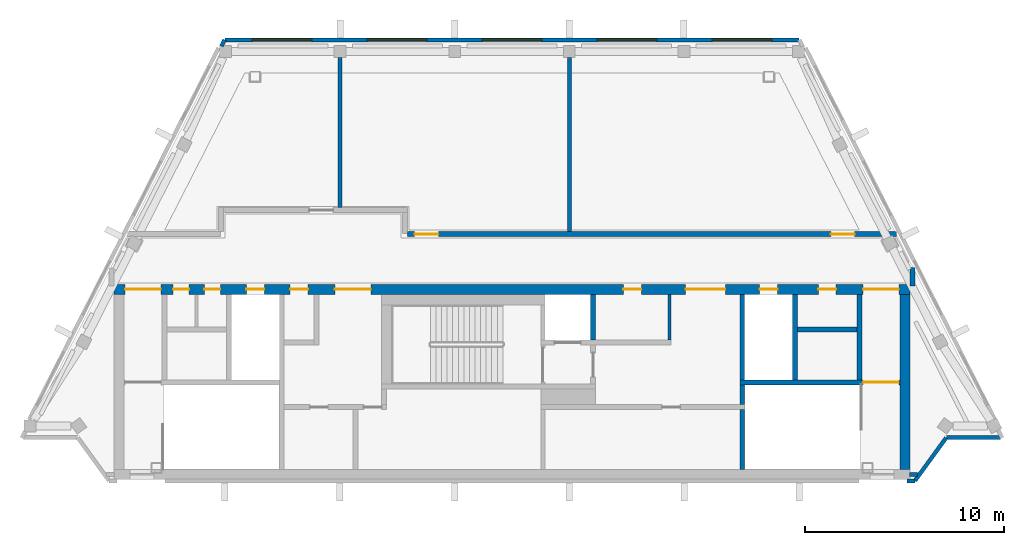
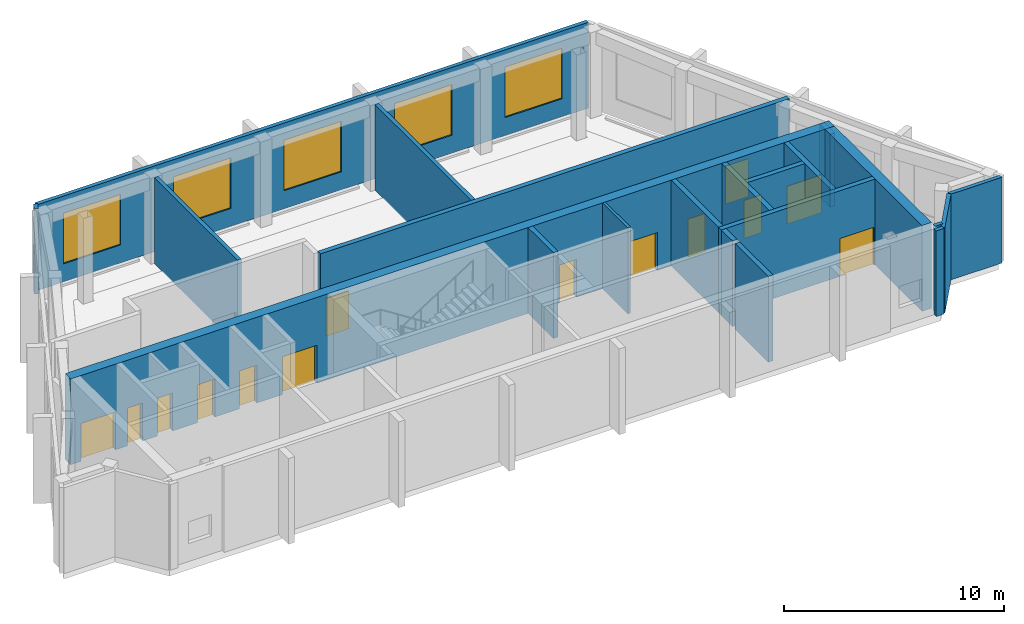
# One storey, part 3 of 5: 21 walls, 14 doors, 5 windows, 19 openings.
"""IFC4 building model written with IfcOpenShell, lengths in metres."""

from ifc_helpers import new_model, si_unit, direction, frame, frame_2d, origin, place, context, subcontext, project, spatial, rectangle, extrude, material, layer, layer_set, type_object, element, fill, save


model = new_model("IFC4")

# Units and contexts
model_context = context("Model", 3, precision=1e-05, world=origin(), true_north=direction((0.0, 1.0)))
body_context = subcontext(model_context, "Body", "Model", "MODEL_VIEW")
ifc_project = project(units=[si_unit("LENGTHUNIT", "METRE"), si_unit("AREAUNIT", "SQUARE_METRE"), si_unit("VOLUMEUNIT", "CUBIC_METRE"), si_unit("PLANEANGLEUNIT", "RADIAN"), si_unit("MASSUNIT", "GRAM", prefix="KILO")], contexts=[model_context])

# Site, building, storey
site_placement = place(None, origin())
site = spatial("IfcSite", under=ifc_project, at=site_placement, CompositionType="ELEMENT")
building_placement = place(site_placement, origin())
building = spatial("IfcBuilding", under=site, at=building_placement, Name="Quipu Civic Tower", CompositionType="ELEMENT")
storey_placement = place(building_placement, frame((0.0, 0.0, 363.0)))
storey = spatial("IfcBuildingStorey", under=building, at=storey_placement, Name="L84", CompositionType="ELEMENT", Elevation=363.0)

# Walls
ifc_material_1 = material(Name="Fired clay blockwork", Category="masonry")
ifc_layer_1 = layer(ifc_material_1, 0.199951171875)
ifc_layer_set_1 = layer_set([ifc_layer_1], Name="Fired clay blockwork")
wall_type_1 = type_object("IfcWallType", Name="Blockwork wall 200", PredefinedType="SOLIDWALL", material=ifc_layer_set_1)
wall_1_placement = place(storey_placement, frame((2.89892578125, 10.195068359375, 0.0), z_axis=(0.0, 0.0, 1.0), x_axis=(0.0, -1.0, 0.0)))
element("IfcWall", 1, at=wall_1_placement, inside=storey, type_object=wall_type_1, Name="Partition P01", PredefinedType="SOLIDWALL", context=body_context, shape_type="SweptSolid", body=[
    extrude(rectangle(XDim=8.7451171875, YDim=0.199951171875, at=frame_2d((4.37255859375, 0.0))), origin(), (0.0, 0.0, 1.0), 4.75),
])
wall_2_placement = place(storey_placement, frame((-8.656982421875, 2.64990234375, 0.0), z_axis=(0.0, 0.0, 1.0), x_axis=(0.0, 1.0, 0.0)))
element("IfcWall", 2, at=wall_2_placement, inside=storey, type_object=wall_type_1, Name="Partition P02", PredefinedType="SOLIDWALL", context=body_context, shape_type="SweptSolid", body=[
    extrude(rectangle(XDim=7.545166015625, YDim=0.199951171875, at=frame_2d((3.7724609375, 0.0))), origin(), (0.0, 0.0, 1.0), 4.75),
])
ifc_material_2 = material(Name="Concrete C70/85", Category="concrete")
ifc_layer_2 = layer(ifc_material_2, 0.25)
ifc_layer_set_2 = layer_set([ifc_layer_2], Name="Concrete C70/85")
wall_type_2 = type_object("IfcWallType", Name="Core wall 250", PredefinedType="SHEAR", material=ifc_layer_set_2)
wall_3_placement = place(storey_placement, frame((11.574951171875, -10.5, 0.0), z_axis=(0.0, 0.0, 1.0), x_axis=(0.0, 1.0, 0.0)))
element("IfcWall", 3, at=wall_3_placement, inside=storey, type_object=wall_type_2, Name="Core wall", PredefinedType="SHEAR", context=body_context, shape_type="SweptSolid", body=[
    extrude(rectangle(XDim=3.0, YDim=0.25, at=frame_2d((1.5, 0.0))), origin(), (0.0, 0.0, 1.0), 4.75),
])
wall_4_placement = place(storey_placement, frame((11.574951171875, -7.25, 0.0), z_axis=(0.0, 0.0, 1.0), x_axis=(0.0, 1.0, 0.0)))
element("IfcWall", 4, at=wall_4_placement, inside=storey, type_object=wall_type_2, Name="Core wall", PredefinedType="SHEAR", context=body_context, shape_type="SweptSolid", body=[
    extrude(rectangle(XDim=1.0, YDim=0.25, at=frame_2d((0.5, 0.0))), origin(), (0.0, 0.0, 1.0), 4.75),
])

# Wall, opening, door
wall_5_placement = place(storey_placement, frame((19.5, -6.125, 0.0), z_axis=(0.0, 0.0, 1.0), x_axis=(-1.0, 0.0, 0.0)))
wall_5 = element("IfcWall", 5, at=wall_5_placement, inside=storey, type_object=wall_type_2, Name="Core wall", PredefinedType="SHEAR", context=body_context, shape_type="SweptSolid", body=[
    extrude(rectangle(XDim=8.050048828125, YDim=0.25, at=frame_2d((4.02490234375, 0.0))), origin(), (0.0, 0.0, 1.0), 4.75),
])
opening_1_placement = place(wall_5_placement, frame((0.050048828125, 0.0, 0.0)))
opening_1 = element("IfcOpeningElement", 6, at=opening_1_placement, cuts=wall_5, Name="Opening CD-05", PredefinedType="OPENING", context=body_context, shape_type="SweptSolid", body=[
    extrude(rectangle(XDim=1.800048828125, YDim=2.10009765625, at=frame_2d((0.89990234375, 1.050048828125))), frame((0.0, 0.135009765625, 0.0), z_axis=(0.0, -1.0, 0.0), x_axis=(1.0, 0.0, 0.0)), (0.0, 0.0, 1.0), 0.27001953125),
])
ifc_material_3 = material(Name="Fire rated steel door", Category="steel")
door_type_1 = type_object("IfcDoorType", Name="Fire door FD90 double 1800 x 2100", OperationType="NOTDEFINED", PredefinedType="DOOR", material=ifc_material_3)
door_1_placement = place(opening_1_placement, origin())
door_1 = element("IfcDoor", 7, at=door_1_placement, inside=storey, type_object=door_type_1, Name="Door", OperationType="DOUBLE_DOOR_SINGLE_SWING", OverallHeight=2.10009765625, OverallWidth=1.800048828125, PredefinedType="DOOR", context=body_context, shape_type="SweptSolid", body=[
    extrude(rectangle(XDim=1.800048828125, YDim=2.10009765625, at=frame_2d((0.89990234375, 1.050048828125))), frame((0.0, 0.02490234375, 0.0), z_axis=(0.0, -1.0, 0.0), x_axis=(1.0, 0.0, 0.0)), (0.0, 0.0, 1.0), 0.050048828125),
])
fill(opening_1, door_1)

# Walls
for number, where, z_axis, x_axis, name in (
    (8, (11.574951171875, -6.0, 0.0), (0.0, 0.0, 1.0), (0.0, 1.0, 0.0), "Core wall"),
    (9, (14.22509765625, -6.0, 0.0), (0.0, 0.0, 1.0), (0.0, 1.0, 0.0), "Core wall"),
    (10, (17.47509765625, -6.0, 0.0), (0.0, 0.0, 1.0), (0.0, 1.0, 0.0), "Core wall"),
):
    element("IfcWall", number, at=place(storey_placement, frame(where, z_axis=z_axis, x_axis=x_axis)), inside=storey, type_object=wall_type_2, Name=name, PredefinedType="SHEAR", context=body_context, shape_type="SweptSolid", body=[
        extrude(rectangle(XDim=4.300048828125, YDim=0.25, at=frame_2d((2.14990234375, 0.0))), origin(), (0.0, 0.0, 1.0), 4.75),
    ])
wall_6_placement = place(storey_placement, frame((4.074951171875, -4.0, 0.0), z_axis=(0.0, 0.0, 1.0), x_axis=(0.0, 1.0, 0.0)))
element("IfcWall", 11, at=wall_6_placement, inside=storey, type_object=wall_type_2, Name="Core wall", PredefinedType="SHEAR", context=body_context, shape_type="SweptSolid", body=[
    extrude(rectangle(XDim=2.300048828125, YDim=0.25, at=frame_2d((1.14990234375, 0.0))), origin(), (0.0, 0.0, 1.0), 4.75),
])
wall_7_placement = place(storey_placement, frame((14.35009765625, -3.47509765625, 0.0), z_axis=(0.0, 0.0, 1.0), x_axis=(1.0, 0.0, 0.0)))
element("IfcWall", 12, at=wall_7_placement, inside=storey, type_object=wall_type_2, Name="Core wall", PredefinedType="SHEAR", context=body_context, shape_type="SweptSolid", body=[
    extrude(rectangle(XDim=3.0, YDim=0.25, at=frame_2d((1.5, 0.0))), origin(), (0.0, 0.0, 1.0), 4.75),
])
ifc_material_4 = material(Name="Concrete C70/85", Category="concrete")
ifc_layer_3 = layer(ifc_material_4, 0.5)
ifc_layer_set_3 = layer_set([ifc_layer_3], Name="Concrete C70/85")
wall_type_3 = type_object("IfcWallType", Name="Core wall 500", PredefinedType="SHEAR", material=ifc_layer_set_3)
wall_8_placement = place(storey_placement, frame((19.75, -10.5, 0.0), z_axis=(0.0, 0.0, 1.0), x_axis=(0.0, 1.0, 0.0)))
element("IfcWall", 13, at=wall_8_placement, inside=storey, type_object=wall_type_3, Name="Core wall", PredefinedType="SHEAR", context=body_context, shape_type="SweptSolid", body=[
    extrude(rectangle(XDim=8.800048828125, YDim=0.5, at=frame_2d((4.39990234375, 0.0))), origin(), (0.0, 0.0, 1.0), 4.75),
])

# Wall, openings, doors
wall_9_placement = place(storey_placement, frame((20.0, -1.449951171875, 0.0), z_axis=(0.0, 0.0, 1.0), x_axis=(-1.0, 0.0, 0.0)))
wall_9 = element("IfcWall", 14, at=wall_9_placement, inside=storey, type_object=wall_type_3, Name="Core wall", PredefinedType="SHEAR", context=body_context, shape_type="SweptSolid", body=[
    extrude(rectangle(XDim=40.0, YDim=0.5, at=frame_2d((20.0, 0.0))), origin(), (0.0, 0.0, 1.0), 4.75),
])
opening_2_placement = place(wall_9_placement, frame((37.64990234375, 0.0, 0.0)))
opening_2 = element("IfcOpeningElement", 15, at=opening_2_placement, cuts=wall_9, Name="Opening CD-08", PredefinedType="OPENING", context=body_context, shape_type="SweptSolid", body=[
    extrude(rectangle(XDim=1.800048828125, YDim=2.10009765625, at=frame_2d((0.89990234375, 1.050048828125))), frame((0.0, 0.260009765625, 0.0), z_axis=(0.0, -1.0, 0.0), x_axis=(1.0, 0.0, 0.0)), (0.0, 0.0, 1.0), 0.52001953125),
])
opening_3_placement = place(wall_9_placement, frame((36.237548828125, 0.0, 0.0)))
opening_3 = element("IfcOpeningElement", 16, at=opening_3_placement, cuts=wall_9, Name="Opening CD-09", PredefinedType="OPENING", context=body_context, shape_type="SweptSolid", body=[
    extrude(rectangle(XDim=0.800048828125, YDim=2.10009765625, at=frame_2d((0.39990234375, 1.050048828125))), frame((0.0, 0.260009765625, 0.0), z_axis=(0.0, -1.0, 0.0), x_axis=(1.0, 0.0, 0.0)), (0.0, 0.0, 1.0), 0.52001953125),
])
opening_4_placement = place(wall_9_placement, frame((34.66259765625, 0.0, 0.0)))
opening_4 = element("IfcOpeningElement", 17, at=opening_4_placement, cuts=wall_9, Name="Opening CD-10", PredefinedType="OPENING", context=body_context, shape_type="SweptSolid", body=[
    extrude(rectangle(XDim=0.800048828125, YDim=2.10009765625, at=frame_2d((0.39990234375, 1.050048828125))), frame((0.0, 0.260009765625, 0.0), z_axis=(0.0, -1.0, 0.0), x_axis=(1.0, 0.0, 0.0)), (0.0, 0.0, 1.0), 0.52001953125),
])
opening_5_placement = place(wall_9_placement, frame((32.449951171875, 0.0, 0.0)))
opening_5 = element("IfcOpeningElement", 18, at=opening_5_placement, cuts=wall_9, Name="Opening CD-11", PredefinedType="OPENING", context=body_context, shape_type="SweptSolid", body=[
    extrude(rectangle(XDim=0.89990234375, YDim=2.10009765625, at=frame_2d((0.449951171875, 1.050048828125))), frame((0.0, 0.260009765625, 0.0), z_axis=(0.0, -1.0, 0.0), x_axis=(1.0, 0.0, 0.0)), (0.0, 0.0, 1.0), 0.52001953125),
])
opening_6_placement = place(wall_9_placement, frame((30.25, 0.0, 0.0)))
opening_6 = element("IfcOpeningElement", 19, at=opening_6_placement, cuts=wall_9, Name="Opening CD-12", PredefinedType="OPENING", context=body_context, shape_type="SweptSolid", body=[
    extrude(rectangle(XDim=0.89990234375, YDim=2.10009765625, at=frame_2d((0.449951171875, 1.050048828125))), frame((0.0, 0.260009765625, 0.0), z_axis=(0.0, -1.0, 0.0), x_axis=(1.0, 0.0, 0.0)), (0.0, 0.0, 1.0), 0.52001953125),
])
opening_7_placement = place(wall_9_placement, frame((27.10009765625, 0.0, 0.0)))
opening_7 = element("IfcOpeningElement", 20, at=opening_7_placement, cuts=wall_9, Name="Opening CD-13", PredefinedType="OPENING", context=body_context, shape_type="SweptSolid", body=[
    extrude(rectangle(XDim=1.800048828125, YDim=2.10009765625, at=frame_2d((0.89990234375, 1.050048828125))), frame((0.0, 0.260009765625, 0.0), z_axis=(0.0, -1.0, 0.0), x_axis=(1.0, 0.0, 0.0)), (0.0, 0.0, 1.0), 0.52001953125),
])
opening_8_placement = place(wall_9_placement, frame((13.5, 0.0, 0.0)))
opening_8 = element("IfcOpeningElement", 21, at=opening_8_placement, cuts=wall_9, Name="Opening CD-14", PredefinedType="OPENING", context=body_context, shape_type="SweptSolid", body=[
    extrude(rectangle(XDim=0.89990234375, YDim=2.10009765625, at=frame_2d((0.449951171875, 1.050048828125))), frame((0.0, 0.260009765625, 0.0), z_axis=(0.0, -1.0, 0.0), x_axis=(1.0, 0.0, 0.0)), (0.0, 0.0, 1.0), 0.52001953125),
])
opening_9_placement = place(wall_9_placement, frame((9.27490234375, 0.0, 0.0)))
opening_9 = element("IfcOpeningElement", 22, at=opening_9_placement, cuts=wall_9, Name="Opening CD-15", PredefinedType="OPENING", context=body_context, shape_type="SweptSolid", body=[
    extrude(rectangle(XDim=2.0, YDim=2.10009765625, at=frame_2d((1.0, 1.050048828125))), frame((0.0, 0.260009765625, 0.0), z_axis=(0.0, -1.0, 0.0), x_axis=(1.0, 0.0, 0.0)), (0.0, 0.0, 1.0), 0.52001953125),
])
opening_10_placement = place(wall_9_placement, frame((6.64990234375, 0.0, 0.0)))
opening_10 = element("IfcOpeningElement", 23, at=opening_10_placement, cuts=wall_9, Name="Opening CD-16", PredefinedType="OPENING", context=body_context, shape_type="SweptSolid", body=[
    extrude(rectangle(XDim=0.89990234375, YDim=2.10009765625, at=frame_2d((0.449951171875, 1.050048828125))), frame((0.0, 0.260009765625, 0.0), z_axis=(0.0, -1.0, 0.0), x_axis=(1.0, 0.0, 0.0)), (0.0, 0.0, 1.0), 0.52001953125),
])
opening_11_placement = place(wall_9_placement, frame((3.699951171875, 0.0, 0.0)))
opening_11 = element("IfcOpeningElement", 24, at=opening_11_placement, cuts=wall_9, Name="Opening CD-17", PredefinedType="OPENING", context=body_context, shape_type="SweptSolid", body=[
    extrude(rectangle(XDim=0.89990234375, YDim=2.10009765625, at=frame_2d((0.449951171875, 1.050048828125))), frame((0.0, 0.260009765625, 0.0), z_axis=(0.0, -1.0, 0.0), x_axis=(1.0, 0.0, 0.0)), (0.0, 0.0, 1.0), 0.52001953125),
])
opening_12_placement = place(wall_9_placement, frame((0.550048828125, 0.0, 0.0)))
opening_12 = element("IfcOpeningElement", 25, at=opening_12_placement, cuts=wall_9, Name="Opening CD-18", PredefinedType="OPENING", context=body_context, shape_type="SweptSolid", body=[
    extrude(rectangle(XDim=1.800048828125, YDim=2.10009765625, at=frame_2d((0.89990234375, 1.050048828125))), frame((0.0, 0.260009765625, 0.0), z_axis=(0.0, -1.0, 0.0), x_axis=(1.0, 0.0, 0.0)), (0.0, 0.0, 1.0), 0.52001953125),
])
ifc_material_5 = material(Name="Fire rated steel door", Category="steel")
door_type_2 = type_object("IfcDoorType", Name="Fire door FD60 800 x 2100", OperationType="NOTDEFINED", PredefinedType="DOOR", material=ifc_material_5)
door_2_placement = place(opening_3_placement, origin())
door_2 = element("IfcDoor", 26, at=door_2_placement, inside=storey, type_object=door_type_2, Name="Door", OperationType="SINGLE_SWING_RIGHT", OverallHeight=2.10009765625, OverallWidth=0.800048828125, PredefinedType="DOOR", context=body_context, shape_type="SweptSolid", body=[
    extrude(rectangle(XDim=0.800048828125, YDim=2.10009765625, at=frame_2d((0.39990234375, 1.050048828125))), frame((0.0, 0.02490234375, 0.0), z_axis=(0.0, -1.0, 0.0), x_axis=(1.0, 0.0, 0.0)), (0.0, 0.0, 1.0), 0.050048828125),
])
fill(opening_3, door_2)
door_3_placement = place(opening_4_placement, origin())
door_3 = element("IfcDoor", 27, at=door_3_placement, inside=storey, type_object=door_type_2, Name="Door", OperationType="SINGLE_SWING_RIGHT", OverallHeight=2.10009765625, OverallWidth=0.800048828125, PredefinedType="DOOR", context=body_context, shape_type="SweptSolid", body=[
    extrude(rectangle(XDim=0.800048828125, YDim=2.10009765625, at=frame_2d((0.39990234375, 1.050048828125))), frame((0.0, 0.02490234375, 0.0), z_axis=(0.0, -1.0, 0.0), x_axis=(1.0, 0.0, 0.0)), (0.0, 0.0, 1.0), 0.050048828125),
])
fill(opening_4, door_3)
ifc_material_6 = material(Name="Fire rated steel door", Category="steel")
door_type_3 = type_object("IfcDoorType", Name="Fire door FD60 900 x 2100", OperationType="NOTDEFINED", PredefinedType="DOOR", material=ifc_material_6)
door_4_placement = place(opening_5_placement, origin())
door_4 = element("IfcDoor", 28, at=door_4_placement, inside=storey, type_object=door_type_3, Name="Riser door", OperationType="SINGLE_SWING_RIGHT", OverallHeight=2.10009765625, OverallWidth=0.89990234375, PredefinedType="DOOR", context=body_context, shape_type="SweptSolid", body=[
    extrude(rectangle(XDim=0.89990234375, YDim=2.10009765625, at=frame_2d((0.449951171875, 1.050048828125))), frame((0.0, 0.02490234375, 0.0), z_axis=(0.0, -1.0, 0.0), x_axis=(1.0, 0.0, 0.0)), (0.0, 0.0, 1.0), 0.050048828125),
])
fill(opening_5, door_4)
door_5_placement = place(opening_6_placement, origin())
door_5 = element("IfcDoor", 29, at=door_5_placement, inside=storey, type_object=door_type_3, Name="Plant door", OperationType="SINGLE_SWING_RIGHT", OverallHeight=2.10009765625, OverallWidth=0.89990234375, PredefinedType="DOOR", context=body_context, shape_type="SweptSolid", body=[
    extrude(rectangle(XDim=0.89990234375, YDim=2.10009765625, at=frame_2d((0.449951171875, 1.050048828125))), frame((0.0, 0.02490234375, 0.0), z_axis=(0.0, -1.0, 0.0), x_axis=(1.0, 0.0, 0.0)), (0.0, 0.0, 1.0), 0.050048828125),
])
fill(opening_6, door_5)
door_6_placement = place(opening_8_placement, origin())
door_6 = element("IfcDoor", 30, at=door_6_placement, inside=storey, type_object=door_type_3, Name="Plant door", OperationType="SINGLE_SWING_LEFT", OverallHeight=2.10009765625, OverallWidth=0.89990234375, PredefinedType="DOOR", context=body_context, shape_type="SweptSolid", body=[
    extrude(rectangle(XDim=0.89990234375, YDim=2.10009765625, at=frame_2d((0.449951171875, 1.050048828125))), frame((0.0, 0.02490234375, 0.0), z_axis=(0.0, -1.0, 0.0), x_axis=(1.0, 0.0, 0.0)), (0.0, 0.0, 1.0), 0.050048828125),
])
fill(opening_8, door_6)
door_7_placement = place(opening_10_placement, origin())
door_7 = element("IfcDoor", 31, at=door_7_placement, inside=storey, type_object=door_type_3, Name="Riser door", OperationType="SINGLE_SWING_LEFT", OverallHeight=2.10009765625, OverallWidth=0.89990234375, PredefinedType="DOOR", context=body_context, shape_type="SweptSolid", body=[
    extrude(rectangle(XDim=0.89990234375, YDim=2.10009765625, at=frame_2d((0.449951171875, 1.050048828125))), frame((0.0, 0.02490234375, 0.0), z_axis=(0.0, -1.0, 0.0), x_axis=(1.0, 0.0, 0.0)), (0.0, 0.0, 1.0), 0.050048828125),
])
fill(opening_10, door_7)
door_8_placement = place(opening_11_placement, origin())
door_8 = element("IfcDoor", 32, at=door_8_placement, inside=storey, type_object=door_type_3, Name="Door", OperationType="SINGLE_SWING_LEFT", OverallHeight=2.10009765625, OverallWidth=0.89990234375, PredefinedType="DOOR", context=body_context, shape_type="SweptSolid", body=[
    extrude(rectangle(XDim=0.89990234375, YDim=2.10009765625, at=frame_2d((0.449951171875, 1.050048828125))), frame((0.0, 0.02490234375, 0.0), z_axis=(0.0, -1.0, 0.0), x_axis=(1.0, 0.0, 0.0)), (0.0, 0.0, 1.0), 0.050048828125),
])
fill(opening_11, door_8)
door_9_placement = place(opening_2_placement, origin())
door_9 = element("IfcDoor", 33, at=door_9_placement, inside=storey, type_object=door_type_1, Name="Lobby door", OperationType="DOUBLE_DOOR_SINGLE_SWING", OverallHeight=2.10009765625, OverallWidth=1.800048828125, PredefinedType="DOOR", context=body_context, shape_type="SweptSolid", body=[
    extrude(rectangle(XDim=1.800048828125, YDim=2.10009765625, at=frame_2d((0.89990234375, 1.050048828125))), frame((0.0, 0.02490234375, 0.0), z_axis=(0.0, -1.0, 0.0), x_axis=(1.0, 0.0, 0.0)), (0.0, 0.0, 1.0), 0.050048828125),
])
fill(opening_2, door_9)
door_10_placement = place(opening_7_placement, origin())
door_10 = element("IfcDoor", 34, at=door_10_placement, inside=storey, type_object=door_type_1, Name="Lobby door", OperationType="DOUBLE_DOOR_SINGLE_SWING", OverallHeight=2.10009765625, OverallWidth=1.800048828125, PredefinedType="DOOR", context=body_context, shape_type="SweptSolid", body=[
    extrude(rectangle(XDim=1.800048828125, YDim=2.10009765625, at=frame_2d((0.89990234375, 1.050048828125))), frame((0.0, 0.02490234375, 0.0), z_axis=(0.0, -1.0, 0.0), x_axis=(1.0, 0.0, 0.0)), (0.0, 0.0, 1.0), 0.050048828125),
])
fill(opening_7, door_10)
door_11_placement = place(opening_12_placement, origin())
door_11 = element("IfcDoor", 35, at=door_11_placement, inside=storey, type_object=door_type_1, Name="Lobby door", OperationType="DOUBLE_DOOR_SINGLE_SWING", OverallHeight=2.10009765625, OverallWidth=1.800048828125, PredefinedType="DOOR", context=body_context, shape_type="SweptSolid", body=[
    extrude(rectangle(XDim=1.800048828125, YDim=2.10009765625, at=frame_2d((0.89990234375, 1.050048828125))), frame((0.0, 0.02490234375, 0.0), z_axis=(0.0, -1.0, 0.0), x_axis=(1.0, 0.0, 0.0)), (0.0, 0.0, 1.0), 0.050048828125),
])
fill(opening_12, door_11)
ifc_material_7 = material(Name="Fire rated steel door", Category="steel")
door_type_4 = type_object("IfcDoorType", Name="Fire door FD90 double 2000 x 2100", OperationType="NOTDEFINED", PredefinedType="DOOR", material=ifc_material_7)
door_12_placement = place(opening_9_placement, origin())
door_12 = element("IfcDoor", 36, at=door_12_placement, inside=storey, type_object=door_type_4, Name="Lobby door", OperationType="DOUBLE_DOOR_SINGLE_SWING", OverallHeight=2.10009765625, OverallWidth=2.0, PredefinedType="DOOR", context=body_context, shape_type="SweptSolid", body=[
    extrude(rectangle(XDim=2.0, YDim=2.10009765625, at=frame_2d((1.0, 1.050048828125))), frame((0.0, 0.02490234375, 0.0), z_axis=(0.0, -1.0, 0.0), x_axis=(1.0, 0.0, 0.0)), (0.0, 0.0, 1.0), 0.050048828125),
])
fill(opening_9, door_12)

ifc_material_8 = material(Name="Concrete C50/60", Category="concrete")
ifc_layer_4 = layer(ifc_material_8, 0.25)
ifc_layer_set_4 = layer_set([ifc_layer_4], Name="Concrete C50/60")
wall_type_4 = type_object("IfcWallType", Name="Corridor wall 250 concrete", PredefinedType="SOLIDWALL", material=ifc_layer_set_4)
wall_10_placement = place(storey_placement, frame((-5.246337890625, 1.324951171875, 0.0), z_axis=(0.0, 0.0, 1.0), x_axis=(1.0, 0.0, 0.0)))
wall_10 = element("IfcWall", 37, at=wall_10_placement, inside=storey, type_object=wall_type_4, Name="Corridor wall C06", PredefinedType="SOLIDWALL", context=body_context, shape_type="SweptSolid", body=[
    extrude(rectangle(XDim=24.5654296875, YDim=0.25, at=frame_2d((12.28271484375, 0.0))), origin(), (0.0, 0.0, 1.0), 4.75),
])
opening_13_placement = place(wall_10_placement, frame((21.2744140625, 0.0, 0.0)))
opening_13 = element("IfcOpeningElement", 38, at=opening_13_placement, cuts=wall_10, Name="Opening D003", PredefinedType="OPENING", context=body_context, shape_type="SweptSolid", body=[
    extrude(rectangle(XDim=1.199951171875, YDim=2.10009765625, at=frame_2d((0.60009765625, 1.050048828125))), frame((0.0, 0.135009765625, 0.0), z_axis=(0.0, -1.0, 0.0), x_axis=(1.0, 0.0, 0.0)), (0.0, 0.0, 1.0), 0.27001953125),
])
opening_14_placement = place(wall_10_placement, frame((0.34619140625, 0.0, 0.0)))
opening_14 = element("IfcOpeningElement", 39, at=opening_14_placement, cuts=wall_10, Name="Opening D002", PredefinedType="OPENING", context=body_context, shape_type="SweptSolid", body=[
    extrude(rectangle(XDim=1.199951171875, YDim=2.10009765625, at=frame_2d((0.60009765625, 1.050048828125))), frame((0.0, 0.135009765625, 0.0), z_axis=(0.0, -1.0, 0.0), x_axis=(1.0, 0.0, 0.0)), (0.0, 0.0, 1.0), 0.27001953125),
])
ifc_material_9 = material(Name="Fire rated timber door set with metal frame", Category="wood")
door_type_5 = type_object("IfcDoorType", Name="Single door 1200 x 2100 FD60", OperationType="NOTDEFINED", PredefinedType="DOOR", material=ifc_material_9)
door_13_placement = place(opening_13_placement, origin())
door_13 = element("IfcDoor", 40, at=door_13_placement, inside=storey, type_object=door_type_5, Name="Door D003", OperationType="SINGLE_SWING_RIGHT", OverallHeight=2.10009765625, OverallWidth=1.199951171875, PredefinedType="DOOR", context=body_context, shape_type="SweptSolid", body=[
    extrude(rectangle(XDim=1.199951171875, YDim=2.10009765625, at=frame_2d((0.60009765625, 1.050048828125))), frame((0.0, 0.02490234375, 0.0), z_axis=(0.0, -1.0, 0.0), x_axis=(1.0, 0.0, 0.0)), (0.0, 0.0, 1.0), 0.050048828125),
])
fill(opening_13, door_13)
door_14_placement = place(opening_14_placement, origin())
door_14 = element("IfcDoor", 41, at=door_14_placement, inside=storey, type_object=door_type_5, Name="Door D002", OperationType="SINGLE_SWING_LEFT", OverallHeight=2.10009765625, OverallWidth=1.199951171875, PredefinedType="DOOR", context=body_context, shape_type="SweptSolid", body=[
    extrude(rectangle(XDim=1.199951171875, YDim=2.10009765625, at=frame_2d((0.60009765625, 1.050048828125))), frame((0.0, 0.02490234375, 0.0), z_axis=(0.0, -1.0, 0.0), x_axis=(1.0, 0.0, 0.0)), (0.0, 0.0, 1.0), 0.050048828125),
])
fill(opening_14, door_14)

# Walls
wall_11_placement = place(storey_placement, frame((20.125, -0.360107421875, 0.0), z_axis=(0.0, 0.0, 1.0), x_axis=(0.0, -1.0, 0.0)))
element("IfcWall", 42, at=wall_11_placement, inside=storey, type_object=wall_type_4, Name="Corridor wall C08", PredefinedType="SOLIDWALL", context=body_context, shape_type="SweptSolid", body=[
    extrude(rectangle(XDim=0.93115234375, YDim=0.25, at=frame_2d((0.465576171875, 0.0))), origin(), (0.0, 0.0, 1.0), 4.050048828125),
])
ifc_material_10 = material(Name="Gypsum board partition")
ifc_layer_5 = layer(ifc_material_10, 0.14990234375)
ifc_layer_set_5 = layer_set([ifc_layer_5], Name="Gypsum board partition")
wall_type_5 = type_object("IfcWallType", Name="Partition 150", PredefinedType="PARTITIONING", material=ifc_layer_set_5)
wall_12_placement = place(storey_placement, frame((7.925048828125, -4.0, 0.0), z_axis=(0.0, 0.0, 1.0), x_axis=(0.0, 1.0, 0.0)))
element("IfcWall", 43, at=wall_12_placement, inside=storey, type_object=wall_type_5, Name="Partition", PredefinedType="PARTITIONING", context=body_context, shape_type="SweptSolid", body=[
    extrude(rectangle(XDim=2.300048828125, YDim=0.14990234375, at=frame_2d((1.14990234375, 0.0))), origin(), (0.0, 0.0, 1.0), 4.75),
])
ifc_material_11 = material(Name="Precast concrete C40/50", Category="concrete")
wall_type_6 = type_object("IfcWallType", Name="Precast cladding wall", PredefinedType="SOLIDWALL", material=ifc_material_11)
wall_13_placement = place(storey_placement, frame((-14.44580078125, 11.094482421875, 0.0), z_axis=(0.0, 0.0, 1.0), x_axis=(-0.453855997003, -0.891075043969, 0.0)))
element("IfcWall", 44, at=wall_13_placement, inside=storey, type_object=wall_type_6, Name="Precast cladding wall L84 1", PredefinedType="SOLIDWALL", context=body_context, shape_type="SweptSolid", body=[
    extrude(rectangle(XDim=0.366943359375, YDim=0.199951171875, at=frame_2d((0.18359375, 0.0))), origin(), (0.0, 0.0, 1.0), 4.75),
])
wall_14_placement = place(storey_placement, frame((19.85009765625, -11.087890625, 0.0), z_axis=(0.0, 0.0, 1.0), x_axis=(1.0, 0.0, 0.0)))
element("IfcWall", 45, at=wall_14_placement, inside=storey, type_object=wall_type_6, Name="Precast cladding wall L84 8", PredefinedType="SOLIDWALL", context=body_context, shape_type="SweptSolid", body=[
    extrude(rectangle(XDim=0.40576171875, YDim=0.199951171875, at=frame_2d((0.202880859375, 0.0))), origin(), (0.0, 0.0, 1.0), 4.75),
])
wall_15_placement = place(storey_placement, frame((20.253173828125, -11.083251953125, 0.0), z_axis=(0.0, 0.0, 1.0), x_axis=(0.587766567315, 0.809030569476, 0.0)))
element("IfcWall", 46, at=wall_15_placement, inside=storey, type_object=wall_type_6, Name="Precast cladding wall L84 9", PredefinedType="SOLIDWALL", context=body_context, shape_type="SweptSolid", body=[
    extrude(rectangle(XDim=2.687744140625, YDim=0.199951171875, at=frame_2d((1.34375, 0.0))), origin(), (0.0, 0.0, 1.0), 4.75),
])
wall_16_placement = place(storey_placement, frame((21.8427734375, -8.90380859375, 0.0), z_axis=(0.0, 0.0, 1.0), x_axis=(1.0, 0.0, 0.0)))
element("IfcWall", 47, at=wall_16_placement, inside=storey, type_object=wall_type_6, Name="Precast cladding wall L84 10", PredefinedType="SOLIDWALL", context=body_context, shape_type="SweptSolid", body=[
    extrude(rectangle(XDim=2.71826171875, YDim=0.199951171875, at=frame_2d((1.359130859375, 0.0))), origin(), (0.0, 0.0, 1.0), 4.75),
])

# Wall, openings, windows
wall_17_placement = place(storey_placement, frame((14.4365234375, 11.087890625, 0.0), z_axis=(0.0, 0.0, 1.0), x_axis=(-1.0, 0.0, 0.0)))
wall_17 = element("IfcWall", 48, at=wall_17_placement, inside=storey, type_object=wall_type_6, Name="Precast cladding wall L84 14", PredefinedType="SOLIDWALL", context=body_context, shape_type="SweptSolid", body=[
    extrude(rectangle(XDim=28.873046875, YDim=0.199951171875, at=frame_2d((14.4365234375, 0.0))), origin(), (0.0, 0.0, 1.0), 4.75),
])
opening_15_placement = place(wall_17_placement, frame((1.371337890625, 0.0, 1.0)))
opening_15 = element("IfcOpeningElement", 49, at=opening_15_placement, cuts=wall_17, Name="Opening W-L84-14.1", PredefinedType="OPENING", context=body_context, shape_type="SweptSolid", body=[
    extrude(rectangle(XDim=3.0, YDim=2.800048828125, at=frame_2d((1.5, 1.39990234375))), frame((0.0, 0.10986328125, 0.0), z_axis=(0.0, -1.0, 0.0), x_axis=(1.0, 0.0, 0.0)), (0.0, 0.0, 1.0), 0.219970703125),
])
opening_16_placement = place(wall_17_placement, frame((7.15380859375, 0.0, 1.0)))
opening_16 = element("IfcOpeningElement", 50, at=opening_16_placement, cuts=wall_17, Name="Opening W-L84-14.2", PredefinedType="OPENING", context=body_context, shape_type="SweptSolid", body=[
    extrude(rectangle(XDim=3.0, YDim=2.800048828125, at=frame_2d((1.5, 1.39990234375))), frame((0.0, 0.10986328125, 0.0), z_axis=(0.0, -1.0, 0.0), x_axis=(1.0, 0.0, 0.0)), (0.0, 0.0, 1.0), 0.219970703125),
])
opening_17_placement = place(wall_17_placement, frame((12.936279296875, 0.0, 1.0)))
opening_17 = element("IfcOpeningElement", 51, at=opening_17_placement, cuts=wall_17, Name="Opening W-L84-14.3", PredefinedType="OPENING", context=body_context, shape_type="SweptSolid", body=[
    extrude(rectangle(XDim=3.0, YDim=2.800048828125, at=frame_2d((1.5, 1.39990234375))), frame((0.0, 0.10986328125, 0.0), z_axis=(0.0, -1.0, 0.0), x_axis=(1.0, 0.0, 0.0)), (0.0, 0.0, 1.0), 0.219970703125),
])
opening_18_placement = place(wall_17_placement, frame((18.71875, 0.0, 1.0)))
opening_18 = element("IfcOpeningElement", 52, at=opening_18_placement, cuts=wall_17, Name="Opening W-L84-14.4", PredefinedType="OPENING", context=body_context, shape_type="SweptSolid", body=[
    extrude(rectangle(XDim=3.0, YDim=2.800048828125, at=frame_2d((1.5, 1.39990234375))), frame((0.0, 0.10986328125, 0.0), z_axis=(0.0, -1.0, 0.0), x_axis=(1.0, 0.0, 0.0)), (0.0, 0.0, 1.0), 0.219970703125),
])
opening_19_placement = place(wall_17_placement, frame((24.50146484375, 0.0, 1.0)))
opening_19 = element("IfcOpeningElement", 53, at=opening_19_placement, cuts=wall_17, Name="Opening W-L84-14.5", PredefinedType="OPENING", context=body_context, shape_type="SweptSolid", body=[
    extrude(rectangle(XDim=3.0, YDim=2.800048828125, at=frame_2d((1.5, 1.39990234375))), frame((0.0, 0.10986328125, 0.0), z_axis=(0.0, -1.0, 0.0), x_axis=(1.0, 0.0, 0.0)), (0.0, 0.0, 1.0), 0.219970703125),
])
ifc_material_12 = material(Name="Anodised aluminium louvre", Category="aluminium")
window_type = type_object("IfcWindowType", Name="Plant louvre window P4", PartitioningType="SINGLE_PANEL", PredefinedType="WINDOW", material=ifc_material_12)
window_1_placement = place(opening_15_placement, origin())
window_1 = element("IfcWindow", 54, at=window_1_placement, inside=storey, type_object=window_type, Name="Plant louvre window L84.14.1", OverallHeight=2.800048828125, OverallWidth=3.0, PartitioningType="SINGLE_PANEL", PredefinedType="WINDOW", context=body_context, shape_type="SweptSolid", body=[
    extrude(rectangle(XDim=3.0, YDim=2.800048828125, at=frame_2d((1.5, 1.39990234375))), frame((0.0, 0.030029296875, 0.0), z_axis=(0.0, -1.0, 0.0), x_axis=(1.0, 0.0, 0.0)), (0.0, 0.0, 1.0), 0.06005859375),
])
fill(opening_15, window_1)
window_2_placement = place(opening_16_placement, origin())
window_2 = element("IfcWindow", 55, at=window_2_placement, inside=storey, type_object=window_type, Name="Plant louvre window L84.14.2", OverallHeight=2.800048828125, OverallWidth=3.0, PartitioningType="SINGLE_PANEL", PredefinedType="WINDOW", context=body_context, shape_type="SweptSolid", body=[
    extrude(rectangle(XDim=3.0, YDim=2.800048828125, at=frame_2d((1.5, 1.39990234375))), frame((0.0, 0.030029296875, 0.0), z_axis=(0.0, -1.0, 0.0), x_axis=(1.0, 0.0, 0.0)), (0.0, 0.0, 1.0), 0.06005859375),
])
fill(opening_16, window_2)
window_3_placement = place(opening_17_placement, origin())
window_3 = element("IfcWindow", 56, at=window_3_placement, inside=storey, type_object=window_type, Name="Plant louvre window L84.14.3", OverallHeight=2.800048828125, OverallWidth=3.0, PartitioningType="SINGLE_PANEL", PredefinedType="WINDOW", context=body_context, shape_type="SweptSolid", body=[
    extrude(rectangle(XDim=3.0, YDim=2.800048828125, at=frame_2d((1.5, 1.39990234375))), frame((0.0, 0.030029296875, 0.0), z_axis=(0.0, -1.0, 0.0), x_axis=(1.0, 0.0, 0.0)), (0.0, 0.0, 1.0), 0.06005859375),
])
fill(opening_17, window_3)
window_4_placement = place(opening_18_placement, origin())
window_4 = element("IfcWindow", 57, at=window_4_placement, inside=storey, type_object=window_type, Name="Plant louvre window L84.14.4", OverallHeight=2.800048828125, OverallWidth=3.0, PartitioningType="SINGLE_PANEL", PredefinedType="WINDOW", context=body_context, shape_type="SweptSolid", body=[
    extrude(rectangle(XDim=3.0, YDim=2.800048828125, at=frame_2d((1.5, 1.39990234375))), frame((0.0, 0.030029296875, 0.0), z_axis=(0.0, -1.0, 0.0), x_axis=(1.0, 0.0, 0.0)), (0.0, 0.0, 1.0), 0.06005859375),
])
fill(opening_18, window_4)
window_5_placement = place(opening_19_placement, origin())
window_5 = element("IfcWindow", 58, at=window_5_placement, inside=storey, type_object=window_type, Name="Plant louvre window L84.14.5", OverallHeight=2.800048828125, OverallWidth=3.0, PartitioningType="SINGLE_PANEL", PredefinedType="WINDOW", context=body_context, shape_type="SweptSolid", body=[
    extrude(rectangle(XDim=3.0, YDim=2.800048828125, at=frame_2d((1.5, 1.39990234375))), frame((0.0, 0.030029296875, 0.0), z_axis=(0.0, -1.0, 0.0), x_axis=(1.0, 0.0, 0.0)), (0.0, 0.0, 1.0), 0.06005859375),
])
fill(opening_19, window_5)

# Wall
wall_18_placement = place(storey_placement, frame((19.97998046875, -10.75, 0.0), z_axis=(0.0, 0.0, 1.0), x_axis=(1.0, 0.0, 0.0)))
element("IfcWall", 59, at=wall_18_placement, inside=storey, type_object=wall_type_6, Name="Precast cladding return L84 E", PredefinedType="SOLIDWALL", context=body_context, shape_type="SweptSolid", body=[
    extrude(rectangle(XDim=0.41650390625, YDim=0.199951171875, at=frame_2d((0.208251953125, 0.0))), origin(), (0.0, 0.0, 1.0), 4.75),
])

save(model, "model.ifc")
